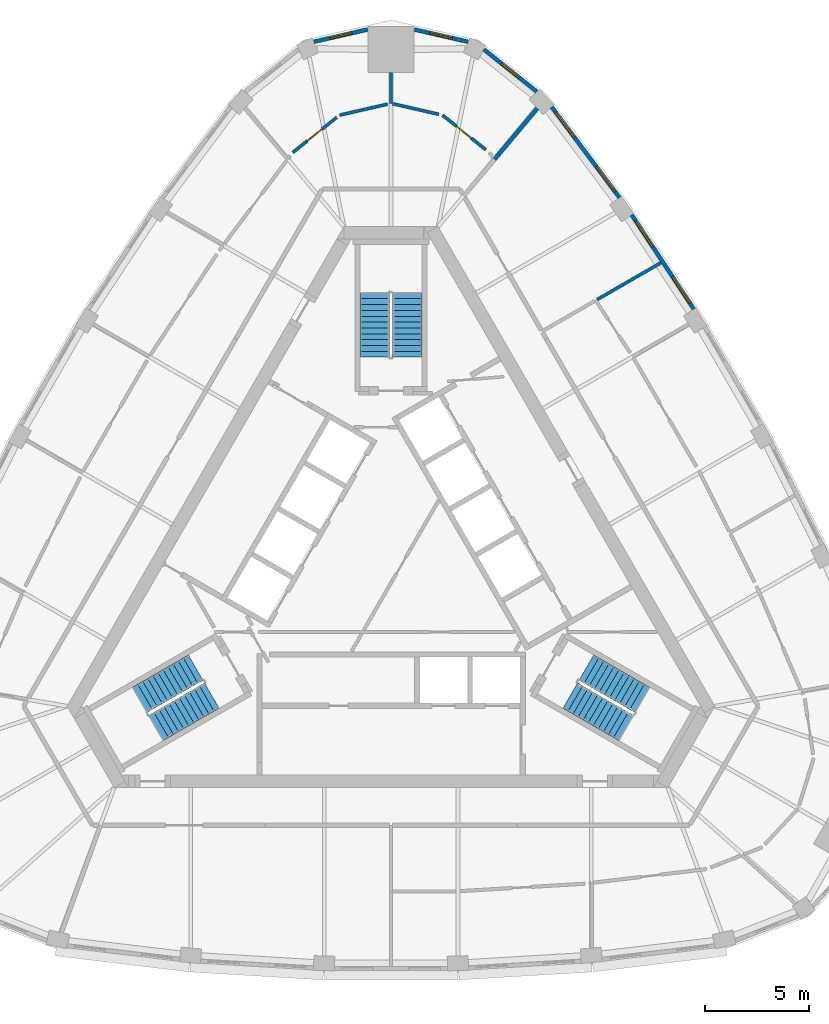
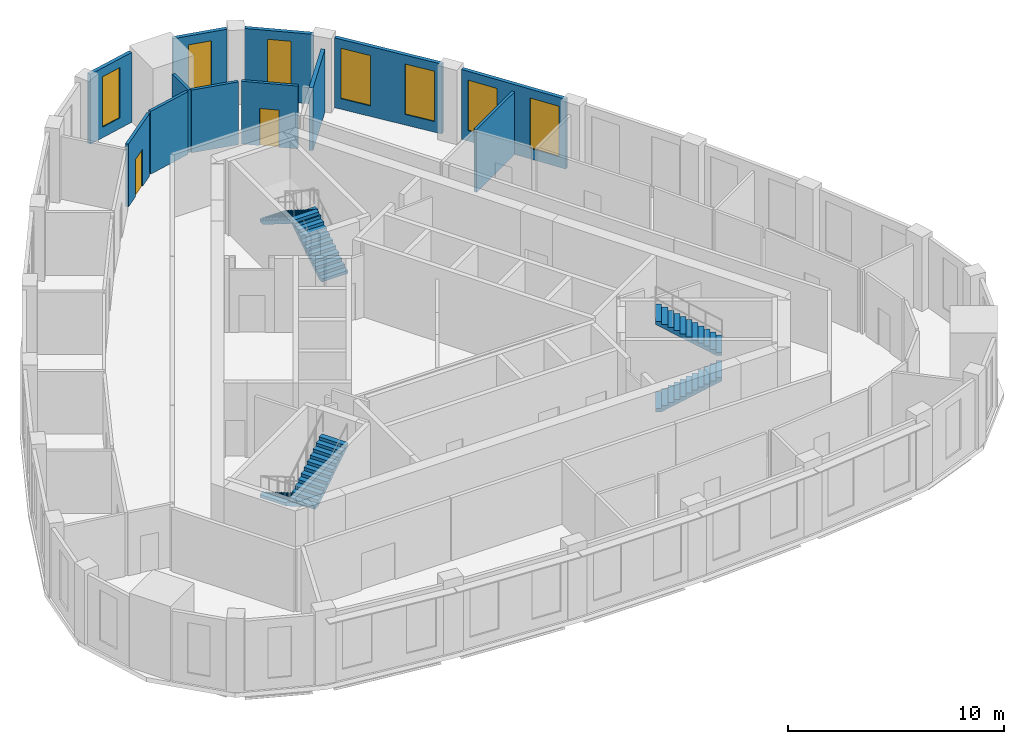
# One storey, part 9 of 10: 12 walls, 7 windows, 6 stair flights, 2 doors, 9 openings, 3 elements without a shape of their own.
"""IFC4 building model written with IfcOpenShell, lengths in metres."""

from ifc_helpers import new_model, si_unit, direction, frame, frame_2d, origin, place, context, subcontext, project, spatial, polyline, rectangle, outline, extrude, material, layer, layer_set, type_object, element, fill, aggregate, save


model = new_model("IFC4")

# Units and contexts
model_context = context("Model", 3, precision=1e-05, world=origin(), true_north=direction((0.0, 1.0)))
body_context = subcontext(model_context, "Body", "Model", "MODEL_VIEW")
ifc_project = project(units=[si_unit("LENGTHUNIT", "METRE"), si_unit("AREAUNIT", "SQUARE_METRE"), si_unit("VOLUMEUNIT", "CUBIC_METRE"), si_unit("PLANEANGLEUNIT", "RADIAN"), si_unit("MASSUNIT", "GRAM", prefix="KILO")], contexts=[model_context])

# Site, building, storey
site_placement = place(None, origin())
site = spatial("IfcSite", under=ifc_project, at=site_placement, CompositionType="ELEMENT")
building_placement = place(site_placement, origin())
building = spatial("IfcBuilding", under=site, at=building_placement, Name="Mestral Congress Tower", CompositionType="ELEMENT")
storey_placement = place(building_placement, frame((0.0, 0.0, 292.199951171875)))
storey = spatial("IfcBuildingStorey", under=building, at=storey_placement, Name="L68", CompositionType="ELEMENT", Elevation=292.199951171875)

# Wall, openings, windows
ifc_material_1 = material(Name="Precast concrete C40/50 with limestone facing", Category="masonry")
ifc_layer_1 = layer(ifc_material_1, 0.18994140625)
ifc_layer_set_1 = layer_set([ifc_layer_1], Name="Precast concrete C40/50 with limestone facing")
wall_type_1 = type_object("IfcWallType", Name="Facade stone wall 190", PredefinedType="SOLIDWALL", material=ifc_layer_set_1)
wall_1_placement = place(storey_placement, frame((14.49560546875, 12.6533203125, 0.0), z_axis=(0.0, 0.0, 1.0), x_axis=(-0.550744054781, 0.83467417962, 0.0)))
wall_1 = element("IfcWall", 1, at=wall_1_placement, inside=storey, type_object=wall_type_1, Name="Facade wall F1-03", PredefinedType="SOLIDWALL", context=body_context, shape_type="SweptSolid", body=[
    extrude(rectangle(XDim=5.406005859375, YDim=0.18994140625, at=frame_2d((2.703125, 0.0))), origin(), (0.0, 0.0, 1.0), 3.949951171875),
])
opening_1_placement = place(wall_1_placement, frame((0.346435546875, 0.0, 0.60009765625)))
opening_1 = element("IfcOpeningElement", 2, at=opening_1_placement, cuts=wall_1, Name="Opening W6", PredefinedType="OPENING", context=body_context, shape_type="SweptSolid", body=[
    extrude(rectangle(XDim=1.5, YDim=2.85009765625, at=frame_2d((0.75, 1.425048828125))), frame((0.0, 0.10498046875, 0.0), z_axis=(0.0, -1.0, 0.0), x_axis=(1.0, 0.0, 0.0)), (0.0, 0.0, 1.0), 0.2099609375),
])
opening_2_placement = place(wall_1_placement, frame((3.559326171875, 0.0, 0.60009765625)))
opening_2 = element("IfcOpeningElement", 3, at=opening_2_placement, cuts=wall_1, Name="Opening W6", PredefinedType="OPENING", context=body_context, shape_type="SweptSolid", body=[
    extrude(rectangle(XDim=1.5, YDim=2.85009765625, at=frame_2d((0.75, 1.425048828125))), frame((0.0, 0.10498046875, 0.0), z_axis=(0.0, -1.0, 0.0), x_axis=(1.0, 0.0, 0.0)), (0.0, 0.0, 1.0), 0.2099609375),
])
ifc_material_2 = material(Name="Clear low-emissivity double glazing", Category="glass")
window_type_1 = type_object("IfcWindowType", Name="Facade punched window 1500 x 2850 sill 600", PartitioningType="SINGLE_PANEL", PredefinedType="WINDOW", material=ifc_material_2)
window_1_placement = place(opening_1_placement, origin())
window_1 = element("IfcWindow", 4, at=window_1_placement, inside=storey, type_object=window_type_1, Name="Window F1-03a", OverallHeight=2.85009765625, OverallWidth=1.5, PartitioningType="SINGLE_PANEL", PredefinedType="WINDOW", context=body_context, shape_type="SweptSolid", body=[
    extrude(rectangle(XDim=1.5, YDim=2.85009765625, at=frame_2d((0.75, 1.425048828125))), frame((0.0, 0.044921875, 0.0), z_axis=(0.0, -1.0, 0.0), x_axis=(1.0, 0.0, 0.0)), (0.0, 0.0, 1.0), 0.06005859375),
])
fill(opening_1, window_1)
window_2_placement = place(opening_2_placement, origin())
window_2 = element("IfcWindow", 5, at=window_2_placement, inside=storey, type_object=window_type_1, Name="Window F1-03b", OverallHeight=2.85009765625, OverallWidth=1.5, PartitioningType="SINGLE_PANEL", PredefinedType="WINDOW", context=body_context, shape_type="SweptSolid", body=[
    extrude(rectangle(XDim=1.5, YDim=2.85009765625, at=frame_2d((0.75, 1.425048828125))), frame((0.0, 0.044921875, 0.0), z_axis=(0.0, -1.0, 0.0), x_axis=(1.0, 0.0, 0.0)), (0.0, 0.0, 1.0), 0.06005859375),
])
fill(opening_2, window_2)

wall_2_placement = place(storey_placement, frame((10.938232421875, 17.989990234375, 0.0), z_axis=(0.0, 0.0, 1.0), x_axis=(-0.599559865294, 0.800329911929, 0.0)))
wall_2 = element("IfcWall", 6, at=wall_2_placement, inside=storey, type_object=wall_type_1, Name="Facade wall F1-04", PredefinedType="SOLIDWALL", context=body_context, shape_type="SweptSolid", body=[
    extrude(rectangle(XDim=5.4150390625, YDim=0.18994140625, at=frame_2d((2.70751953125, 0.0))), origin(), (0.0, 0.0, 1.0), 3.949951171875),
])
opening_3_placement = place(wall_2_placement, frame((0.357666015625, 0.0, 0.60009765625)))
opening_3 = element("IfcOpeningElement", 7, at=opening_3_placement, cuts=wall_2, Name="Opening W6", PredefinedType="OPENING", context=body_context, shape_type="SweptSolid", body=[
    extrude(rectangle(XDim=1.5, YDim=2.85009765625, at=frame_2d((0.75, 1.425048828125))), frame((0.0, 0.10498046875, 0.0), z_axis=(0.0, -1.0, 0.0), x_axis=(1.0, 0.0, 0.0)), (0.0, 0.0, 1.0), 0.2099609375),
])
opening_4_placement = place(wall_2_placement, frame((3.592529296875, 0.0, 0.60009765625)))
opening_4 = element("IfcOpeningElement", 8, at=opening_4_placement, cuts=wall_2, Name="Opening W6", PredefinedType="OPENING", context=body_context, shape_type="SweptSolid", body=[
    extrude(rectangle(XDim=1.5, YDim=2.85009765625, at=frame_2d((0.75, 1.425048828125))), frame((0.0, 0.10498046875, 0.0), z_axis=(0.0, -1.0, 0.0), x_axis=(1.0, 0.0, 0.0)), (0.0, 0.0, 1.0), 0.2099609375),
])
window_3_placement = place(opening_3_placement, origin())
window_3 = element("IfcWindow", 9, at=window_3_placement, inside=storey, type_object=window_type_1, Name="Window F1-04a", OverallHeight=2.85009765625, OverallWidth=1.5, PartitioningType="SINGLE_PANEL", PredefinedType="WINDOW", context=body_context, shape_type="SweptSolid", body=[
    extrude(rectangle(XDim=1.5, YDim=2.85009765625, at=frame_2d((0.75, 1.425048828125))), frame((0.0, 0.044921875, 0.0), z_axis=(0.0, -1.0, 0.0), x_axis=(1.0, 0.0, 0.0)), (0.0, 0.0, 1.0), 0.06005859375),
])
fill(opening_3, window_3)
window_4_placement = place(opening_4_placement, origin())
window_4 = element("IfcWindow", 10, at=window_4_placement, inside=storey, type_object=window_type_1, Name="Window F1-04b", OverallHeight=2.85009765625, OverallWidth=1.5, PartitioningType="SINGLE_PANEL", PredefinedType="WINDOW", context=body_context, shape_type="SweptSolid", body=[
    extrude(rectangle(XDim=1.5, YDim=2.85009765625, at=frame_2d((0.75, 1.425048828125))), frame((0.0, 0.044921875, 0.0), z_axis=(0.0, -1.0, 0.0), x_axis=(1.0, 0.0, 0.0)), (0.0, 0.0, 1.0), 0.06005859375),
])
fill(opening_4, window_4)

# Wall, opening, window
wall_3_placement = place(storey_placement, frame((6.977294921875, 23.061279296875, 0.0), z_axis=(0.0, 0.0, 1.0), x_axis=(-0.781626234064, 0.623747088349, 0.0)))
wall_3 = element("IfcWall", 11, at=wall_3_placement, inside=storey, type_object=wall_type_1, Name="Facade wall K1-0", PredefinedType="SOLIDWALL", context=body_context, shape_type="SweptSolid", body=[
    extrude(rectangle(XDim=3.236572265625, YDim=0.18994140625, at=frame_2d((1.6181640625, 0.0))), origin(), (0.0, 0.0, 1.0), 3.949951171875),
])
opening_5_placement = place(wall_3_placement, frame((1.068359375, 0.0, 0.60009765625)))
opening_5 = element("IfcOpeningElement", 12, at=opening_5_placement, cuts=wall_3, Name="Opening W7", PredefinedType="OPENING", context=body_context, shape_type="SweptSolid", body=[
    extrude(rectangle(XDim=1.10009765625, YDim=2.85009765625, at=frame_2d((0.550048828125, 1.425048828125))), frame((0.0, 0.10498046875, 0.0), z_axis=(0.0, -1.0, 0.0), x_axis=(1.0, 0.0, 0.0)), (0.0, 0.0, 1.0), 0.2099609375),
])
window_type_2 = type_object("IfcWindowType", Name="Facade punched window 1100 x 2850 sill 600", PartitioningType="SINGLE_PANEL", PredefinedType="WINDOW", material=ifc_material_2)
window_5_placement = place(opening_5_placement, origin())
window_5 = element("IfcWindow", 13, at=window_5_placement, inside=storey, type_object=window_type_2, Name="Window K1-0", OverallHeight=2.85009765625, OverallWidth=1.10009765625, PartitioningType="SINGLE_PANEL", PredefinedType="WINDOW", context=body_context, shape_type="SweptSolid", body=[
    extrude(rectangle(XDim=1.10009765625, YDim=2.85009765625, at=frame_2d((0.550048828125, 1.425048828125))), frame((0.0, 0.044921875, 0.0), z_axis=(0.0, -1.0, 0.0), x_axis=(1.0, 0.0, 0.0)), (0.0, 0.0, 1.0), 0.06005859375),
])
fill(opening_5, window_5)

wall_4_placement = place(storey_placement, frame((3.6826171875, 25.44873046875, 0.0), z_axis=(0.0, 0.0, 1.0), x_axis=(-0.974913273386, 0.222585060988, 0.0)))
wall_4 = element("IfcWall", 14, at=wall_4_placement, inside=storey, type_object=wall_type_1, Name="Facade wall K1-1", PredefinedType="SOLIDWALL", context=body_context, shape_type="SweptSolid", body=[
    extrude(rectangle(XDim=2.626953125, YDim=0.18994140625, at=frame_2d((1.3134765625, 0.0))), origin(), (0.0, 0.0, 1.0), 3.949951171875),
])
opening_6_placement = place(wall_4_placement, frame((0.763427734375, 0.0, 0.60009765625)))
opening_6 = element("IfcOpeningElement", 15, at=opening_6_placement, cuts=wall_4, Name="Opening W7", PredefinedType="OPENING", context=body_context, shape_type="SweptSolid", body=[
    extrude(rectangle(XDim=1.10009765625, YDim=2.85009765625, at=frame_2d((0.550048828125, 1.425048828125))), frame((0.0, 0.10498046875, 0.0), z_axis=(0.0, -1.0, 0.0), x_axis=(1.0, 0.0, 0.0)), (0.0, 0.0, 1.0), 0.2099609375),
])
window_6_placement = place(opening_6_placement, origin())
window_6 = element("IfcWindow", 16, at=window_6_placement, inside=storey, type_object=window_type_2, Name="Window K1-1", OverallHeight=2.85009765625, OverallWidth=1.10009765625, PartitioningType="SINGLE_PANEL", PredefinedType="WINDOW", context=body_context, shape_type="SweptSolid", body=[
    extrude(rectangle(XDim=1.10009765625, YDim=2.85009765625, at=frame_2d((0.550048828125, 1.425048828125))), frame((0.0, 0.044921875, 0.0), z_axis=(0.0, -1.0, 0.0), x_axis=(1.0, 0.0, 0.0)), (0.0, 0.0, 1.0), 0.06005859375),
])
fill(opening_6, window_6)

wall_5_placement = place(storey_placement, frame((-1.12158203125, 26.033447265625, 0.0), z_axis=(0.0, 0.0, 1.0), x_axis=(-0.974913273386, -0.222585060988, 0.0)))
wall_5 = element("IfcWall", 17, at=wall_5_placement, inside=storey, type_object=wall_type_1, Name="Facade wall K1-2", PredefinedType="SOLIDWALL", context=body_context, shape_type="SweptSolid", body=[
    extrude(rectangle(XDim=2.626953125, YDim=0.18994140625, at=frame_2d((1.3134765625, 0.0))), origin(), (0.0, 0.0, 1.0), 3.949951171875),
])
opening_7_placement = place(wall_5_placement, frame((0.763427734375, 0.0, 0.60009765625)))
opening_7 = element("IfcOpeningElement", 18, at=opening_7_placement, cuts=wall_5, Name="Opening W7", PredefinedType="OPENING", context=body_context, shape_type="SweptSolid", body=[
    extrude(rectangle(XDim=1.10009765625, YDim=2.85009765625, at=frame_2d((0.550048828125, 1.425048828125))), frame((0.0, 0.10498046875, 0.0), z_axis=(0.0, -1.0, 0.0), x_axis=(1.0, 0.0, 0.0)), (0.0, 0.0, 1.0), 0.2099609375),
])
window_7_placement = place(opening_7_placement, origin())
window_7 = element("IfcWindow", 19, at=window_7_placement, inside=storey, type_object=window_type_2, Name="Window K1-2", OverallHeight=2.85009765625, OverallWidth=1.10009765625, PartitioningType="SINGLE_PANEL", PredefinedType="WINDOW", context=body_context, shape_type="SweptSolid", body=[
    extrude(rectangle(XDim=1.10009765625, YDim=2.85009765625, at=frame_2d((0.550048828125, 1.425048828125))), frame((0.0, 0.044921875, 0.0), z_axis=(0.0, -1.0, 0.0), x_axis=(1.0, 0.0, 0.0)), (0.0, 0.0, 1.0), 0.06005859375),
])
fill(opening_7, window_7)

# Walls
ifc_material_3 = material(Name="Plasterboard partition on steel studs", Category="steel")
ifc_layer_2 = layer(ifc_material_3, 0.14990234375)
ifc_layer_set_2 = layer_set([ifc_layer_2], Name="Plasterboard partition on steel studs")
wall_type_2 = type_object("IfcWallType", Name="Office partition 150", PredefinedType="PARTITIONING", material=ifc_layer_set_2)
wall_6_placement = place(storey_placement, frame((9.85986328125, 13.10595703125, 0.0), z_axis=(0.0, 0.0, 1.0), x_axis=(0.866022094817, 0.500005731256, 0.0)))
element("IfcWall", 20, at=wall_6_placement, inside=storey, type_object=wall_type_2, Name="Partition", PredefinedType="PARTITIONING", context=body_context, shape_type="SweptSolid", body=[
    extrude(rectangle(XDim=3.53125, YDim=0.14990234375, at=frame_2d((1.765625, 0.0))), origin(), (0.0, 0.0, 1.0), 3.550048828125),
])
wall_7_placement = place(storey_placement, frame((0.0, 22.49951171875, 0.0), z_axis=(0.0, 0.0, 1.0), x_axis=(0.0, 1.0, 0.0)))
element("IfcWall", 21, at=wall_7_placement, inside=storey, type_object=wall_type_2, Name="Partition", PredefinedType="PARTITIONING", context=body_context, shape_type="SweptSolid", body=[
    extrude(rectangle(XDim=1.478515625, YDim=0.14990234375, at=frame_2d((0.7392578125, 0.0))), origin(), (0.0, 0.0, 1.0), 3.550048828125),
])

# Wall, opening, door
wall_8_placement = place(storey_placement, frame((2.4619140625, 21.937255859375, 0.0), z_axis=(0.0, 0.0, 1.0), x_axis=(0.781630346222, -0.62374193531, 0.0)))
wall_8 = element("IfcWall", 22, at=wall_8_placement, inside=storey, type_object=wall_type_2, Name="Partition", PredefinedType="PARTITIONING", context=body_context, shape_type="SweptSolid", body=[
    extrude(rectangle(XDim=2.656494140625, YDim=0.14990234375, at=frame_2d((1.328125, 0.0))), origin(), (0.0, 0.0, 1.0), 3.550048828125),
])
opening_8_placement = place(wall_8_placement, frame((0.856689453125, 0.0, 0.0)))
opening_8 = element("IfcOpeningElement", 23, at=opening_8_placement, cuts=wall_8, Name="Opening O13-010", PredefinedType="OPENING", context=body_context, shape_type="SweptSolid", body=[
    extrude(rectangle(XDim=0.89990234375, YDim=2.10009765625, at=frame_2d((0.449951171875, 1.050048828125))), frame((0.0, 0.0849609375, 0.0), z_axis=(0.0, -1.0, 0.0), x_axis=(1.0, 0.0, 0.0)), (0.0, 0.0, 1.0), 0.169921875),
])
ifc_material_4 = material(Name="Timber door set", Category="wood")
door_type = type_object("IfcDoorType", Name="Office door 900x2100", OperationType="SINGLE_SWING_LEFT", PredefinedType="DOOR", material=ifc_material_4)
door_1_placement = place(opening_8_placement, origin())
door_1 = element("IfcDoor", 24, at=door_1_placement, inside=storey, type_object=door_type, Name="Door O13-010", OperationType="SINGLE_SWING_LEFT", OverallHeight=2.10009765625, OverallWidth=0.89990234375, PredefinedType="DOOR", context=body_context, shape_type="SweptSolid", body=[
    extrude(rectangle(XDim=0.89990234375, YDim=2.10009765625, at=frame_2d((0.449951171875, 1.050048828125))), frame((0.0, 0.02490234375, 0.0), z_axis=(0.0, -1.0, 0.0), x_axis=(1.0, 0.0, 0.0)), (0.0, 0.0, 1.0), 0.050048828125),
])
fill(opening_8, door_1)

# Walls
wall_9_placement = place(storey_placement, frame((2.29345703125, 21.975830078125, 0.0), z_axis=(0.0, 0.0, 1.0), x_axis=(-0.974905760283, 0.22261796551, 0.0)))
element("IfcWall", 25, at=wall_9_placement, inside=storey, type_object=wall_type_2, Name="Partition", PredefinedType="PARTITIONING", context=body_context, shape_type="SweptSolid", body=[
    extrude(rectangle(XDim=2.275634765625, YDim=0.14990234375, at=frame_2d((1.1376953125, 0.0))), origin(), (0.0, 0.0, 1.0), 3.550048828125),
])
wall_10_placement = place(storey_placement, frame((-0.16845703125, 22.461181640625, 0.0), z_axis=(0.0, 0.0, 1.0), x_axis=(-0.974885550769, -0.222706450069, 0.0)))
element("IfcWall", 26, at=wall_10_placement, inside=storey, type_object=wall_type_2, Name="Partition", PredefinedType="PARTITIONING", context=body_context, shape_type="SweptSolid", body=[
    extrude(rectangle(XDim=2.3525390625, YDim=0.14990234375, at=frame_2d((1.17626953125, 0.0))), origin(), (0.0, 0.0, 1.0), 3.550048828125),
])

# Wall, opening, door
wall_11_placement = place(storey_placement, frame((-4.705810546875, 20.146484375, 0.0), z_axis=(0.0, 0.0, 1.0), x_axis=(0.781592149204, 0.623789798172, 0.0)))
wall_11 = element("IfcWall", 27, at=wall_11_placement, inside=storey, type_object=wall_type_2, Name="Partition", PredefinedType="PARTITIONING", context=body_context, shape_type="SweptSolid", body=[
    extrude(rectangle(XDim=2.6982421875, YDim=0.14990234375, at=frame_2d((1.34912109375, 0.0))), origin(), (0.0, 0.0, 1.0), 3.550048828125),
])
opening_9_placement = place(wall_11_placement, frame((0.898193359375, 0.0, 0.0)))
opening_9 = element("IfcOpeningElement", 28, at=opening_9_placement, cuts=wall_11, Name="Opening O13-011", PredefinedType="OPENING", context=body_context, shape_type="SweptSolid", body=[
    extrude(rectangle(XDim=0.89990234375, YDim=2.10009765625, at=frame_2d((0.449951171875, 1.050048828125))), frame((0.0, 0.0849609375, 0.0), z_axis=(0.0, -1.0, 0.0), x_axis=(1.0, 0.0, 0.0)), (0.0, 0.0, 1.0), 0.169921875),
])
door_2_placement = place(opening_9_placement, origin())
door_2 = element("IfcDoor", 29, at=door_2_placement, inside=storey, type_object=door_type, Name="Door O13-011", OperationType="SINGLE_SWING_LEFT", OverallHeight=2.10009765625, OverallWidth=0.89990234375, PredefinedType="DOOR", context=body_context, shape_type="SweptSolid", body=[
    extrude(rectangle(XDim=0.89990234375, YDim=2.10009765625, at=frame_2d((0.449951171875, 1.050048828125))), frame((0.0, 0.02490234375, 0.0), z_axis=(0.0, -1.0, 0.0), x_axis=(1.0, 0.0, 0.0)), (0.0, 0.0, 1.0), 0.050048828125),
])
fill(opening_9, door_2)

# Wall
ifc_material_5 = material(Name="Dense masonry wall, plastered", Category="masonry")
ifc_layer_3 = layer(ifc_material_5, 0.199951171875)
ifc_layer_set_3 = layer_set([ifc_layer_3], Name="Dense masonry wall, plastered")
wall_type_3 = type_object("IfcWallType", Name="Office tenancy wall 200", PredefinedType="PARTITIONING", material=ifc_layer_set_3)
wall_12_placement = place(storey_placement, frame((4.949951171875, 19.814208984375, 0.0), z_axis=(0.0, 0.0, 1.0), x_axis=(0.642981953866, 0.765881326971, 0.0)))
element("IfcWall", 30, at=wall_12_placement, inside=storey, type_object=wall_type_3, Name="Tenancy wall", PredefinedType="PARTITIONING", context=body_context, shape_type="SweptSolid", body=[
    extrude(rectangle(XDim=3.188232421875, YDim=0.199951171875, at=frame_2d((1.59423828125, 0.0))), origin(), (0.0, 0.0, 1.0), 3.550048828125),
])

# Stair, stair flights
ifc_material_6 = material(Name="Concrete C60/75", Category="concrete")
stair_type = type_object("IfcStairType", Name="Exit stair 1400", PredefinedType="HALF_TURN_STAIR", material=ifc_material_6)
placement = place(storey_placement, origin())
stair_1 = element("IfcStair", 31, at=placement, inside=storey, type_object=stair_type, Name="L68 ST1", PredefinedType="HALF_TURN_STAIR")
stair_flight_type = type_object("IfcStairFlightType", Name="Exit stair flight 1400", PredefinedType="STRAIGHT", material=ifc_material_6)
stair_flight_1_placement = place(storey_placement, frame((8.575927734375, -5.84619140625, 0.0), z_axis=(0.0, 0.0, 1.0), x_axis=(0.866025403784, -0.5, 0.0)))
stair_flight_1 = element("IfcStairFlight", 32, at=stair_flight_1_placement, type_object=stair_flight_type, Name="ST1 flight 1", NumberOfRisers=12, NumberOfTreads=11, PredefinedType="STRAIGHT", RiserHeight=0.175, TreadLength=0.28, context=body_context, shape_type="SweptSolid", body=[
    extrude(outline(polyline([(0.0, 0.0), (0.0, 0.175048828125), (0.280029296875, 0.175048828125), (0.280029296875, 0.35009765625), (0.56005859375, 0.35009765625), (0.56005859375, 0.52490234375), (0.840087890625, 0.52490234375), (0.840087890625, 0.699951171875), (1.1201171875, 0.699951171875), (1.1201171875, 0.875), (1.39990234375, 0.875), (1.39990234375, 1.050048828125), (1.679931640625, 1.050048828125), (1.679931640625, 1.22509765625), (1.9599609375, 1.22509765625), (1.9599609375, 1.39990234375), (2.239990234375, 1.39990234375), (2.239990234375, 1.574951171875), (2.52001953125, 1.574951171875), (2.52001953125, 1.75), (2.800048828125, 1.75), (2.800048828125, 1.925048828125), (3.080078125, 1.925048828125), (3.080078125, 2.10009765625), (3.080078125, 1.748291015625), (0.28271484375, 0.0), (0.0, 0.0)])), frame((0.0, 0.699951171875, 0.0), z_axis=(0.0, -1.0, 0.0), x_axis=(1.0, 0.0, 0.0)), (0.0, 0.0, 1.0), 1.39990234375),
])
stair_flight_2_placement = place(storey_placement, frame((12.018310546875, -6.0439453125, 2.10009765625), z_axis=(0.0, 0.0, 1.0), x_axis=(-0.866025403784, 0.5, 0.0)))
stair_flight_2 = element("IfcStairFlight", 33, at=stair_flight_2_placement, type_object=stair_flight_type, Name="ST1 flight 2", NumberOfRisers=12, NumberOfTreads=11, PredefinedType="STRAIGHT", RiserHeight=0.175, TreadLength=0.28, context=body_context, shape_type="SweptSolid", body=[
    extrude(outline(polyline([(0.0, 0.0), (0.0, 0.175048828125), (0.280029296875, 0.175048828125), (0.280029296875, 0.35009765625), (0.56005859375, 0.35009765625), (0.56005859375, 0.52490234375), (0.840087890625, 0.52490234375), (0.840087890625, 0.699951171875), (1.1201171875, 0.699951171875), (1.1201171875, 0.875), (1.39990234375, 0.875), (1.39990234375, 1.050048828125), (1.679931640625, 1.050048828125), (1.679931640625, 1.22509765625), (1.9599609375, 1.22509765625), (1.9599609375, 1.39990234375), (2.239990234375, 1.39990234375), (2.239990234375, 1.574951171875), (2.52001953125, 1.574951171875), (2.52001953125, 1.75), (2.800048828125, 1.75), (2.800048828125, 1.925048828125), (3.080078125, 1.925048828125), (3.080078125, 2.10009765625), (3.080078125, 1.748291015625), (0.28271484375, 0.0), (0.0, 0.0)])), frame((0.0, 0.699951171875, 0.0), z_axis=(0.0, -1.0, 0.0), x_axis=(1.0, 0.0, 0.0)), (0.0, 0.0, 1.0), 1.39990234375),
])
aggregate(stair_1, [stair_flight_1, stair_flight_2])

stair_2 = element("IfcStair", 34, at=placement, inside=storey, type_object=stair_type, Name="L68 ST2", PredefinedType="HALF_TURN_STAIR")
stair_flight_3_placement = place(storey_placement, frame((0.77490234375, 10.35009765625, 0.0), z_axis=(0.0, 0.0, 1.0), x_axis=(0.0, 1.0, 0.0)))
stair_flight_3 = element("IfcStairFlight", 35, at=stair_flight_3_placement, type_object=stair_flight_type, Name="ST2 flight 1", NumberOfRisers=12, NumberOfTreads=11, PredefinedType="STRAIGHT", RiserHeight=0.175, TreadLength=0.28, context=body_context, shape_type="SweptSolid", body=[
    extrude(outline(polyline([(0.0, 0.0), (0.0, 0.175048828125), (0.280029296875, 0.175048828125), (0.280029296875, 0.35009765625), (0.56005859375, 0.35009765625), (0.56005859375, 0.52490234375), (0.840087890625, 0.52490234375), (0.840087890625, 0.699951171875), (1.1201171875, 0.699951171875), (1.1201171875, 0.875), (1.39990234375, 0.875), (1.39990234375, 1.050048828125), (1.679931640625, 1.050048828125), (1.679931640625, 1.22509765625), (1.9599609375, 1.22509765625), (1.9599609375, 1.39990234375), (2.239990234375, 1.39990234375), (2.239990234375, 1.574951171875), (2.52001953125, 1.574951171875), (2.52001953125, 1.75), (2.800048828125, 1.75), (2.800048828125, 1.925048828125), (3.080078125, 1.925048828125), (3.080078125, 2.10009765625), (3.080078125, 1.748291015625), (0.28271484375, 0.0), (0.0, 0.0)])), frame((0.0, 0.699951171875, 0.0), z_axis=(0.0, -1.0, 0.0), x_axis=(1.0, 0.0, 0.0)), (0.0, 0.0, 1.0), 1.39990234375),
])
stair_flight_4_placement = place(storey_placement, frame((-0.77490234375, 13.429931640625, 2.10009765625), z_axis=(0.0, 0.0, 1.0), x_axis=(0.0, -1.0, 0.0)))
stair_flight_4 = element("IfcStairFlight", 36, at=stair_flight_4_placement, type_object=stair_flight_type, Name="ST2 flight 2", NumberOfRisers=12, NumberOfTreads=11, PredefinedType="STRAIGHT", RiserHeight=0.175, TreadLength=0.28, context=body_context, shape_type="SweptSolid", body=[
    extrude(outline(polyline([(0.0, 0.0), (0.0, 0.175048828125), (0.280029296875, 0.175048828125), (0.280029296875, 0.35009765625), (0.56005859375, 0.35009765625), (0.56005859375, 0.52490234375), (0.840087890625, 0.52490234375), (0.840087890625, 0.699951171875), (1.1201171875, 0.699951171875), (1.1201171875, 0.875), (1.39990234375, 0.875), (1.39990234375, 1.050048828125), (1.679931640625, 1.050048828125), (1.679931640625, 1.22509765625), (1.9599609375, 1.22509765625), (1.9599609375, 1.39990234375), (2.239990234375, 1.39990234375), (2.239990234375, 1.574951171875), (2.52001953125, 1.574951171875), (2.52001953125, 1.75), (2.800048828125, 1.75), (2.800048828125, 1.925048828125), (3.080078125, 1.925048828125), (3.080078125, 2.10009765625), (3.080078125, 1.748291015625), (0.28271484375, 0.0), (0.0, 0.0)])), frame((0.0, 0.699951171875, 0.0), z_axis=(0.0, -1.0, 0.0), x_axis=(1.0, 0.0, 0.0)), (0.0, 0.0, 1.0), 1.39990234375),
])
aggregate(stair_2, [stair_flight_3, stair_flight_4])

stair_3 = element("IfcStair", 37, at=placement, inside=storey, type_object=stair_type, Name="L68 ST3", PredefinedType="HALF_TURN_STAIR")
stair_flight_5_placement = place(storey_placement, frame((-9.350830078125, -4.50390625, 0.0), z_axis=(0.0, 0.0, 1.0), x_axis=(-0.866025403784, -0.5, 0.0)))
stair_flight_5 = element("IfcStairFlight", 38, at=stair_flight_5_placement, type_object=stair_flight_type, Name="ST3 flight 1", NumberOfRisers=12, NumberOfTreads=11, PredefinedType="STRAIGHT", RiserHeight=0.175, TreadLength=0.28, context=body_context, shape_type="SweptSolid", body=[
    extrude(outline(polyline([(0.0, 0.0), (0.0, 0.175048828125), (0.280029296875, 0.175048828125), (0.280029296875, 0.35009765625), (0.56005859375, 0.35009765625), (0.56005859375, 0.52490234375), (0.840087890625, 0.52490234375), (0.840087890625, 0.699951171875), (1.1201171875, 0.699951171875), (1.1201171875, 0.875), (1.39990234375, 0.875), (1.39990234375, 1.050048828125), (1.679931640625, 1.050048828125), (1.679931640625, 1.22509765625), (1.9599609375, 1.22509765625), (1.9599609375, 1.39990234375), (2.239990234375, 1.39990234375), (2.239990234375, 1.574951171875), (2.52001953125, 1.574951171875), (2.52001953125, 1.75), (2.800048828125, 1.75), (2.800048828125, 1.925048828125), (3.080078125, 1.925048828125), (3.080078125, 2.10009765625), (3.080078125, 1.748291015625), (0.28271484375, 0.0), (0.0, 0.0)])), frame((0.0, 0.699951171875, 0.0), z_axis=(0.0, -1.0, 0.0), x_axis=(1.0, 0.0, 0.0)), (0.0, 0.0, 1.0), 1.39990234375),
])
stair_flight_6_placement = place(storey_placement, frame((-11.2431640625, -7.38623046875, 2.10009765625), z_axis=(0.0, 0.0, 1.0), x_axis=(0.866025403784, 0.5, 0.0)))
stair_flight_6 = element("IfcStairFlight", 39, at=stair_flight_6_placement, type_object=stair_flight_type, Name="ST3 flight 2", NumberOfRisers=12, NumberOfTreads=11, PredefinedType="STRAIGHT", RiserHeight=0.175, TreadLength=0.28, context=body_context, shape_type="SweptSolid", body=[
    extrude(outline(polyline([(0.0, 0.0), (0.0, 0.175048828125), (0.280029296875, 0.175048828125), (0.280029296875, 0.35009765625), (0.56005859375, 0.35009765625), (0.56005859375, 0.52490234375), (0.840087890625, 0.52490234375), (0.840087890625, 0.699951171875), (1.1201171875, 0.699951171875), (1.1201171875, 0.875), (1.39990234375, 0.875), (1.39990234375, 1.050048828125), (1.679931640625, 1.050048828125), (1.679931640625, 1.22509765625), (1.9599609375, 1.22509765625), (1.9599609375, 1.39990234375), (2.239990234375, 1.39990234375), (2.239990234375, 1.574951171875), (2.52001953125, 1.574951171875), (2.52001953125, 1.75), (2.800048828125, 1.75), (2.800048828125, 1.925048828125), (3.080078125, 1.925048828125), (3.080078125, 2.10009765625), (3.080078125, 1.748291015625), (0.28271484375, 0.0), (0.0, 0.0)])), frame((0.0, 0.699951171875, 0.0), z_axis=(0.0, -1.0, 0.0), x_axis=(1.0, 0.0, 0.0)), (0.0, 0.0, 1.0), 1.39990234375),
])
aggregate(stair_3, [stair_flight_5, stair_flight_6])

save(model, "model.ifc")
